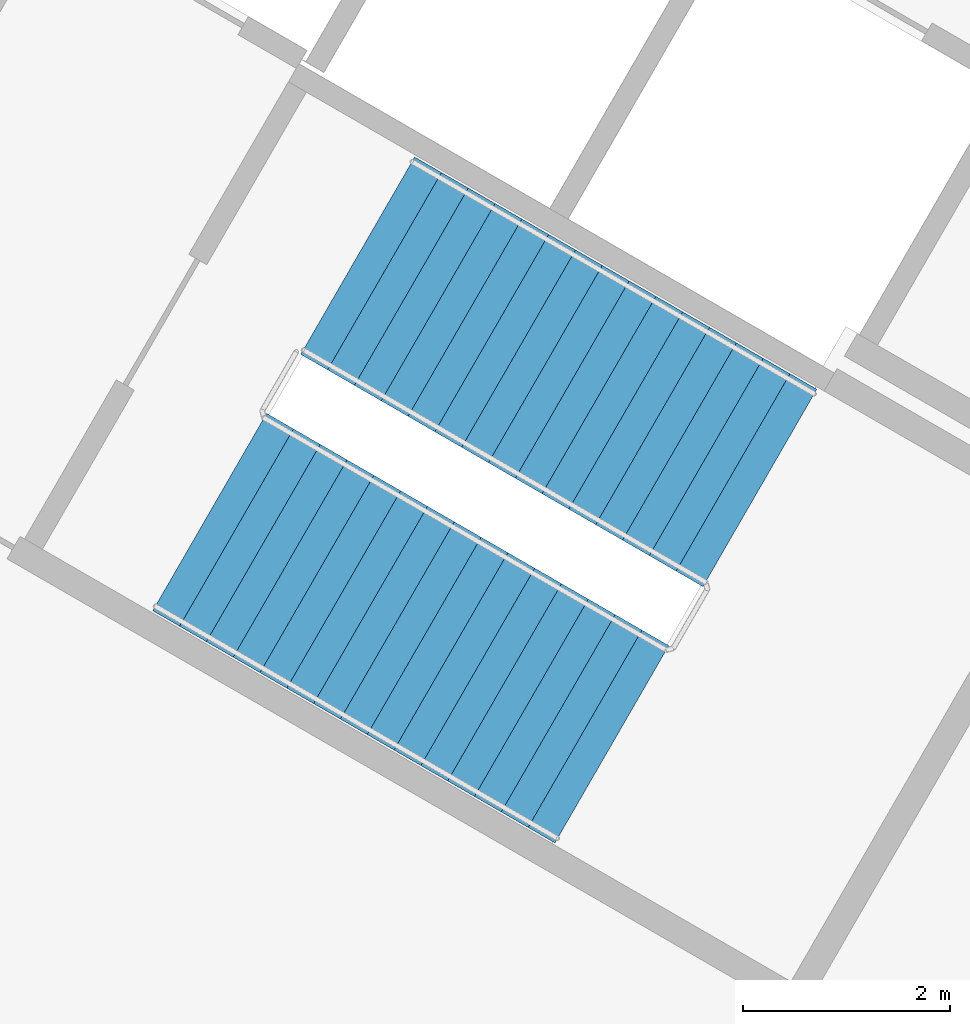
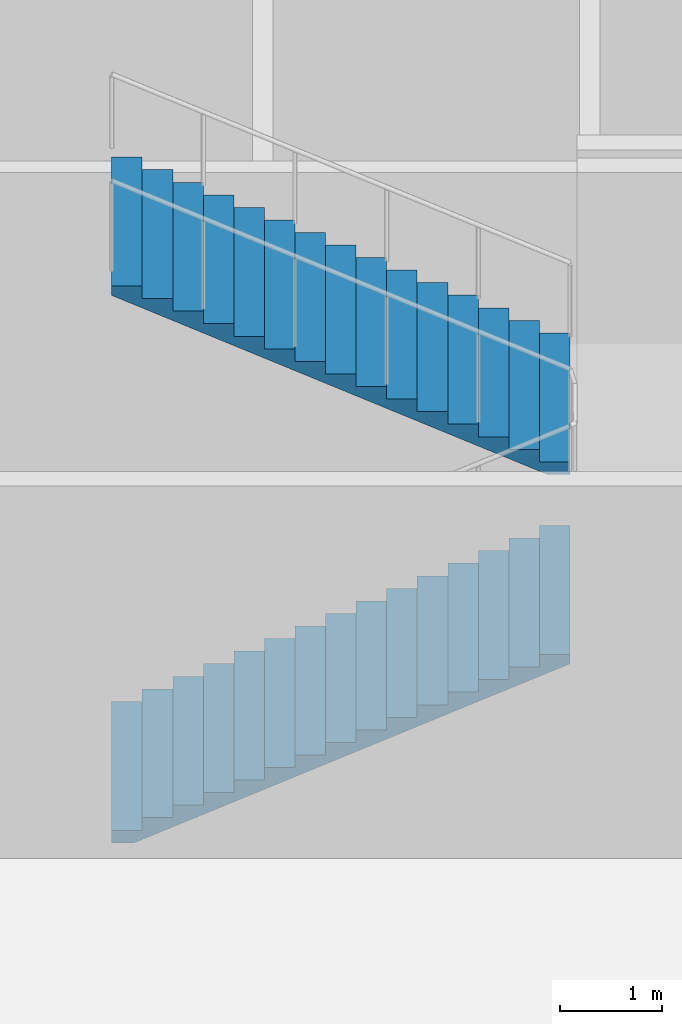
# One storey, part 14 of 18: 2 stair flights, 1 element without a shape of its own.
"""IFC4 building model written with IfcOpenShell, lengths in metres."""

from ifc_helpers import new_model, si_unit, direction, frame, origin, place, context, subcontext, project, spatial, polyline, outline, extrude, material, type_object, element, aggregate, save


model = new_model("IFC4")

# Units and contexts
model_context = context("Model", 3, precision=1e-05, world=origin(), true_north=direction((0.0, 1.0)))
body_context = subcontext(model_context, "Body", "Model", "MODEL_VIEW")
ifc_project = project(units=[si_unit("LENGTHUNIT", "METRE"), si_unit("AREAUNIT", "SQUARE_METRE"), si_unit("VOLUMEUNIT", "CUBIC_METRE"), si_unit("PLANEANGLEUNIT", "RADIAN"), si_unit("MASSUNIT", "GRAM", prefix="KILO")], contexts=[model_context])

# Site, building, storey
site_placement = place(None, origin())
site = spatial("IfcSite", under=ifc_project, at=site_placement, CompositionType="ELEMENT")
building_placement = place(site_placement, origin())
building = spatial("IfcBuilding", under=site, at=building_placement, Name="Tamra Quay Hotel Tower", CompositionType="ELEMENT")
storey_placement = place(building_placement, frame((0.0, 0.0, 211.60009765625)))
storey = spatial("IfcBuildingStorey", under=building, at=storey_placement, Name="L53", CompositionType="ELEMENT", Elevation=211.60009765625)

# Stair, stair flights
ifc_material_1 = material(Name="Exit stair 2200 32 risers 150.0 going 299")
stair_type = type_object("IfcStairType", Name="Exit stair 2200 32 risers 150.0 going 299", PredefinedType="HALF_TURN_STAIR", material=ifc_material_1)
stair_placement = place(storey_placement, origin())
stair = element("IfcStair", 1, at=stair_placement, inside=storey, type_object=stair_type, Name="L53 Exit stair ST1", PredefinedType="HALF_TURN_STAIR")
ifc_material_2 = material(Name="Exit stair flight 2200 16 risers 150.0")
stair_flight_type = type_object("IfcStairFlightType", Name="Exit stair flight 2200 16 risers 150.0", PredefinedType="STRAIGHT", material=ifc_material_2)
stair_flight_1_placement = place(storey_placement, frame((4.75927734375, 11.20361328125, 0.0), z_axis=(0.0, 0.0, 1.0), x_axis=(0.866025403784, -0.5, 0.0)))
stair_flight_1 = element("IfcStairFlight", 2, at=stair_flight_1_placement, type_object=stair_flight_type, Name="ST1 flight 1", NumberOfRisers=16, NumberOfTreads=15, PredefinedType="STRAIGHT", RiserHeight=0.15, TreadLength=0.299, context=body_context, shape_type="SweptSolid", body=[
    extrude(outline(polyline([(0.0, 0.0), (0.0, 0.14990234375), (0.299072265625, 0.14990234375), (0.299072265625, 0.300048828125), (0.597900390625, 0.300048828125), (0.597900390625, 0.449951171875), (0.89697265625, 0.449951171875), (0.89697265625, 0.60009765625), (1.196044921875, 0.60009765625), (1.196044921875, 0.75), (1.4951171875, 0.75), (1.4951171875, 0.89990234375), (1.7939453125, 0.89990234375), (1.7939453125, 1.050048828125), (2.093017578125, 1.050048828125), (2.093017578125, 1.199951171875), (2.39208984375, 1.199951171875), (2.39208984375, 1.35009765625), (2.69091796875, 1.35009765625), (2.69091796875, 1.5), (2.989990234375, 1.5), (2.989990234375, 1.64990234375), (3.2890625, 1.64990234375), (3.2890625, 1.800048828125), (3.587890625, 1.800048828125), (3.587890625, 1.949951171875), (3.886962890625, 1.949951171875), (3.886962890625, 2.10009765625), (4.18603515625, 2.10009765625), (4.18603515625, 2.25), (4.485107421875, 2.25), (4.485107421875, 2.39990234375), (4.485107421875, 2.137939453125), (0.22314453125, 0.0), (0.0, 0.0)])), frame((0.0, 1.10009765625, 0.0), z_axis=(0.0, -1.0, 0.0), x_axis=(1.0, 0.0, 0.0)), (0.0, 0.0, 1.0), 2.199951171875),
])
stair_flight_2_placement = place(storey_placement, frame((10.072998046875, 11.43701171875, 2.39990234375), z_axis=(0.0, 0.0, 1.0), x_axis=(-0.866025403784, 0.5, 0.0)))
stair_flight_2 = element("IfcStairFlight", 3, at=stair_flight_2_placement, type_object=stair_flight_type, Name="ST1 flight 2", NumberOfRisers=16, NumberOfTreads=15, PredefinedType="STRAIGHT", RiserHeight=0.15, TreadLength=0.299, context=body_context, shape_type="SweptSolid", body=[
    extrude(outline(polyline([(0.0, 0.0), (0.0, 0.14990234375), (0.299072265625, 0.14990234375), (0.299072265625, 0.300048828125), (0.597900390625, 0.300048828125), (0.597900390625, 0.449951171875), (0.89697265625, 0.449951171875), (0.89697265625, 0.60009765625), (1.196044921875, 0.60009765625), (1.196044921875, 0.75), (1.4951171875, 0.75), (1.4951171875, 0.89990234375), (1.7939453125, 0.89990234375), (1.7939453125, 1.050048828125), (2.093017578125, 1.050048828125), (2.093017578125, 1.199951171875), (2.39208984375, 1.199951171875), (2.39208984375, 1.35009765625), (2.69091796875, 1.35009765625), (2.69091796875, 1.5), (2.989990234375, 1.5), (2.989990234375, 1.64990234375), (3.2890625, 1.64990234375), (3.2890625, 1.800048828125), (3.587890625, 1.800048828125), (3.587890625, 1.949951171875), (3.886962890625, 1.949951171875), (3.886962890625, 2.10009765625), (4.18603515625, 2.10009765625), (4.18603515625, 2.25), (4.485107421875, 2.25), (4.485107421875, 2.39990234375), (4.485107421875, 2.137939453125), (0.22314453125, 0.0), (0.0, 0.0)])), frame((0.0, 1.10009765625, 0.0), z_axis=(0.0, -1.0, 0.0), x_axis=(1.0, 0.0, 0.0)), (0.0, 0.0, 1.0), 2.199951171875),
])
aggregate(stair, [stair_flight_1, stair_flight_2])

save(model, "model.ifc")
